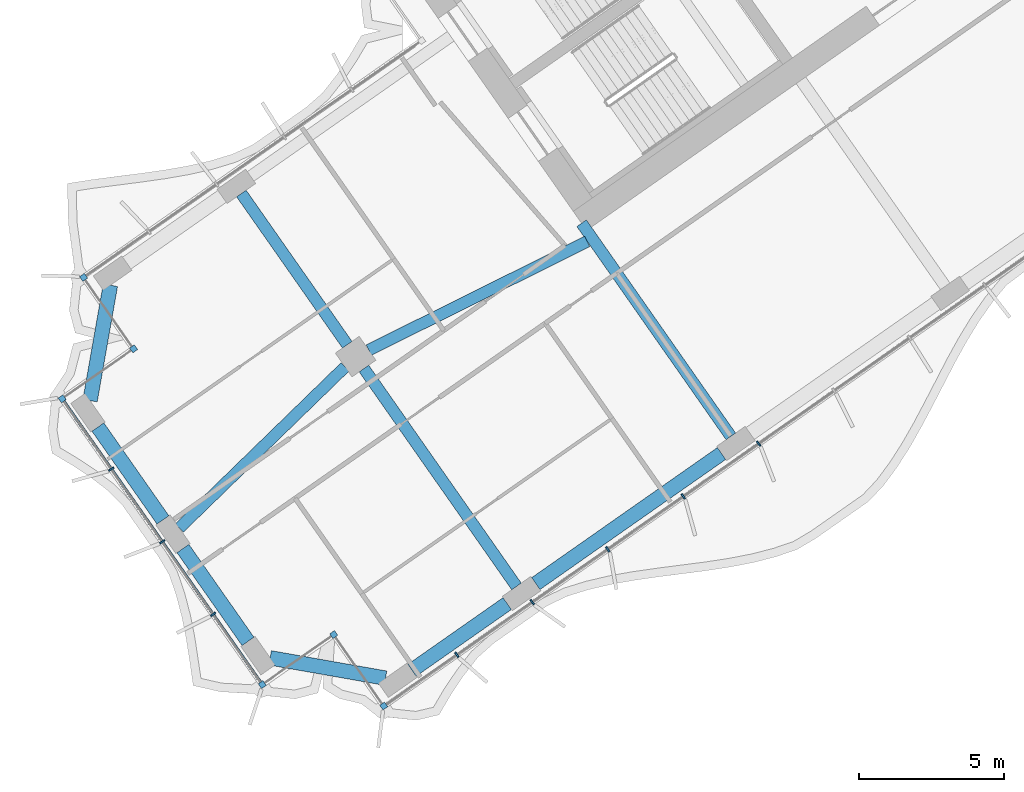
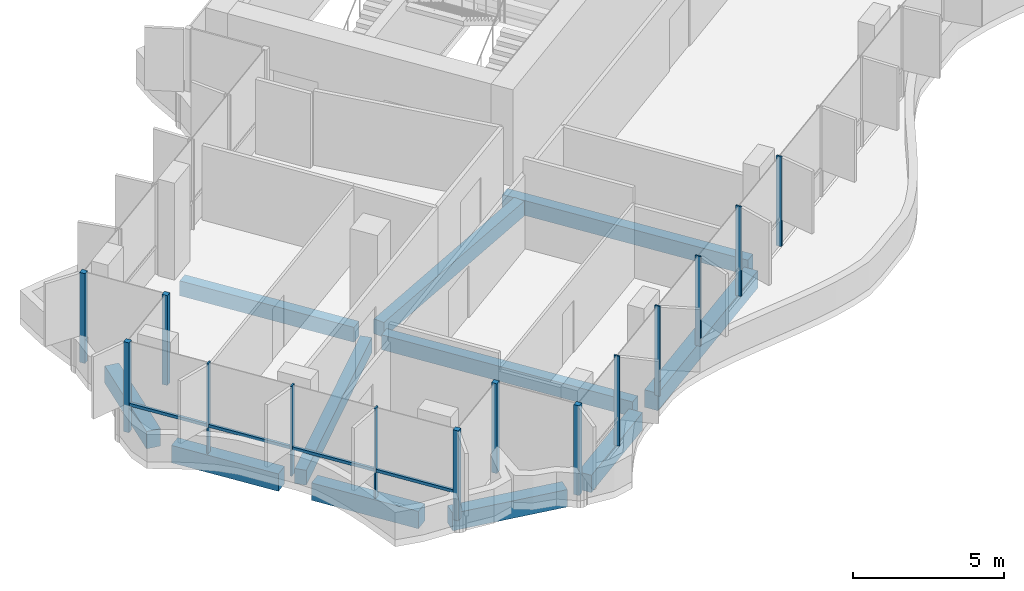
# One storey, part 2 of 22: 15 members, 11 beams, 1 element without a shape of its own.
"""IFC4 building model written with IfcOpenShell, lengths in metres."""

from ifc_helpers import new_model, si_unit, direction, frame, origin, origin_2d, place, context, subcontext, project, spatial, rectangle, extrude, material, material_profile, profile_set, type_object, element, aggregate, save


model = new_model("IFC4")

# Units and contexts
model_context = context("Model", 3, precision=1e-05, world=origin(), true_north=direction((0.0, 1.0)))
body_context = subcontext(model_context, "Body", "Model", "MODEL_VIEW")
ifc_project = project(units=[si_unit("LENGTHUNIT", "METRE"), si_unit("AREAUNIT", "SQUARE_METRE"), si_unit("VOLUMEUNIT", "CUBIC_METRE"), si_unit("PLANEANGLEUNIT", "RADIAN"), si_unit("MASSUNIT", "GRAM", prefix="KILO")], contexts=[model_context])

# Site, building, storey
site_placement = place(None, origin())
site = spatial("IfcSite", under=ifc_project, at=site_placement, CompositionType="ELEMENT")
building_placement = place(site_placement, origin())
building = spatial("IfcBuilding", under=site, at=building_placement, Name="Tel Ilan Convention Tower", CompositionType="ELEMENT")
storey_placement = place(building_placement, frame((0.0, 0.0, 135.89990234375)))
storey = spatial("IfcBuildingStorey", under=building, at=storey_placement, Name="L30", CompositionType="ELEMENT", Elevation=135.89990234375)

# Beams
ifc_material_1 = material(Name="Concrete C40/50", Category="concrete")
ifc_material_profile_1 = material_profile(ifc_material_1, rectangle(XDim=0.39990234375, YDim=0.60009765625, at=origin_2d()), Name="RC 400x600")
ifc_profile_set_1 = profile_set([ifc_material_profile_1], Name="Concrete C40/50")
beam_type_1 = type_object("IfcBeamType", Name="Beam RC 400x600 Concrete C40/50", PredefinedType="BEAM", material=ifc_profile_set_1)
beam_1_placement = place(storey_placement, frame((-16.58203125, -23.391357421875, -0.579833984375), z_axis=(-0.573584999642, 0.819146048141, 0.0), x_axis=(-0.819146048141, -0.573584999642, 0.0)))
element("IfcBeam", 1, at=beam_1_placement, inside=storey, type_object=beam_type_1, Name="L30 beam W-W-F3-core", PredefinedType="BEAM", context=body_context, shape_type="SweptSolid", body=[
    extrude(rectangle(XDim=0.39990234375, YDim=0.60009765625, at=origin_2d()), origin(), (0.0, 0.0, 1.0), 8.949951171875),
])
beam_2_placement = place(storey_placement, frame((-21.52099609375, -16.686279296875, -0.579833984375), z_axis=(-0.895402365524, -0.445257907076, 0.0), x_axis=(0.445257907076, -0.895402365524, 0.0)))
element("IfcBeam", 2, at=beam_2_placement, inside=storey, type_object=beam_type_1, Name="L30 beam W-core-W-M4", PredefinedType="BEAM", context=body_context, shape_type="SweptSolid", body=[
    extrude(rectangle(XDim=0.39990234375, YDim=0.60009765625, at=origin_2d()), origin(), (0.0, 0.0, 1.0), 8.3935546875),
])
beam_3_placement = place(storey_placement, frame((-29.8525390625, -21.001708984375, -0.579833984375), z_axis=(-0.716983836762, -0.697089791793, 0.0), x_axis=(0.697089791793, -0.716983836762, 0.0)))
element("IfcBeam", 3, at=beam_3_placement, inside=storey, type_object=beam_type_1, Name="L30 beam W-W-M4-end", PredefinedType="BEAM", context=body_context, shape_type="SweptSolid", body=[
    extrude(rectangle(XDim=0.39990234375, YDim=0.60009765625, at=origin_2d()), origin(), (0.0, 0.0, 1.0), 7.952392578125),
])
beam_4_placement = place(storey_placement, frame((-29.20263671875, -21.058349609375, -0.579833984375), z_axis=(0.573557249804, -0.819165478519, 0.0), x_axis=(0.819165478519, 0.573557249804, 0.0)))
element("IfcBeam", 4, at=beam_4_placement, inside=storey, type_object=beam_type_1, Name="L30 beam W-W-M4-W-F4", PredefinedType="BEAM", context=body_context, shape_type="SweptSolid", body=[
    extrude(rectangle(XDim=0.39990234375, YDim=0.60009765625, at=origin_2d()), origin(), (0.0, 0.0, 1.0), 9.14990234375),
])
beam_5_placement = place(storey_placement, frame((-29.7763671875, -20.2392578125, -0.579833984375), z_axis=(-0.573560394383, 0.819163276762, 0.0), x_axis=(-0.819163276762, -0.573560394383, 0.0)))
element("IfcBeam", 5, at=beam_5_placement, inside=storey, type_object=beam_type_1, Name="L30 beam W-W-M4-W-B4", PredefinedType="BEAM", context=body_context, shape_type="SweptSolid", body=[
    extrude(rectangle(XDim=0.39990234375, YDim=0.60009765625, at=origin_2d()), origin(), (0.0, 0.0, 1.0), 6.349853515625),
])
ifc_material_2 = material(Name="Concrete C40/50", Category="concrete")
ifc_material_profile_2 = material_profile(ifc_material_2, rectangle(XDim=0.5, YDim=0.699951171875, at=origin_2d()), Name="RC 500x700")
ifc_profile_set_2 = profile_set([ifc_material_profile_2], Name="Concrete C40/50")
beam_type_2 = type_object("IfcBeamType", Name="Beam RC 500x700 Concrete C40/50", PredefinedType="BEAM", material=ifc_profile_set_2)
beam_6_placement = place(storey_placement, frame((-16.901611328125, -23.981201171875, -0.6298828125), z_axis=(-0.819153977895, -0.573573674866, 0.0), x_axis=(0.573573674866, -0.819153977895, 0.0)))
element("IfcBeam", 6, at=beam_6_placement, inside=storey, type_object=beam_type_2, Name="L30 beam W-W-F3-W-F4", PredefinedType="BEAM", context=body_context, shape_type="SweptSolid", body=[
    extrude(rectangle(XDim=0.5, YDim=0.699951171875, at=origin_2d()), origin(), (0.0, 0.0, 1.0), 7.800048828125),
])
beam_7_placement = place(storey_placement, frame((-24.27392578125, -29.1435546875, -0.6298828125), z_axis=(-0.819165963305, -0.573556557423, 0.0), x_axis=(0.573556557423, -0.819165963305, 0.0)))
element("IfcBeam", 7, at=beam_7_placement, inside=storey, type_object=beam_type_2, Name="L30 beam W-W-F4-W-FC", PredefinedType="BEAM", context=body_context, shape_type="SweptSolid", body=[
    extrude(rectangle(XDim=0.5, YDim=0.699951171875, at=origin_2d()), origin(), (0.0, 0.0, 1.0), 4.0),
])
beam_8_placement = place(storey_placement, frame((-28.459716796875, -31.708251953125, -0.6298828125), z_axis=(-0.984806721117, 0.173654029734, 0.0), x_axis=(-0.173654029734, -0.984806721117, 0.0)))
element("IfcBeam", 8, at=beam_8_placement, inside=storey, type_object=beam_type_2, Name="L30 beam W-W-FC-W-E1", PredefinedType="BEAM", context=body_context, shape_type="SweptSolid", body=[
    extrude(rectangle(XDim=0.5, YDim=0.699951171875, at=origin_2d()), origin(), (0.0, 0.0, 1.0), 4.03076171875),
])
for number, where, z_axis, x_axis, name in (
    (9, (-33.19091796875, -30.443115234375, -0.6298828125), (-0.573609383536, 0.819128973434, 0.0), (-0.819128973434, -0.573609383536, 0.0), "L30 beam W-W-E1-W-E2"),
    (10, (-36.1162109375, -26.265380859375, -0.6298828125), (-0.573609383536, 0.819128973434, 0.0), (-0.819128973434, -0.573609383536, 0.0), "L30 beam W-W-E2-W-E3"),
):
    element("IfcBeam", number, at=place(storey_placement, frame(where, z_axis=z_axis, x_axis=x_axis)), inside=storey, type_object=beam_type_2, Name=name, PredefinedType="BEAM", context=body_context, shape_type="SweptSolid", body=[
        extrude(rectangle(XDim=0.5, YDim=0.699951171875, at=origin_2d()), origin(), (0.0, 0.0, 1.0), 3.89990234375),
    ])
beam_9_placement = place(storey_placement, frame((-38.623779296875, -22.16162109375, -0.6298828125), z_axis=(0.173654029734, 0.984806721117, 0.0), x_axis=(-0.984806721117, 0.173654029734, 0.0)))
element("IfcBeam", 11, at=beam_9_placement, inside=storey, type_object=beam_type_2, Name="L30 beam W-W-E3-W-BC", PredefinedType="BEAM", context=body_context, shape_type="SweptSolid", body=[
    extrude(rectangle(XDim=0.5, YDim=0.699951171875, at=origin_2d()), origin(), (0.0, 0.0, 1.0), 4.03076171875),
])

# Curtain wall, members
ifc_material_3 = material(Name="Aluminium, bronze anodised", Category="aluminium")
curtain_wall_type = type_object("IfcCurtainWallType", Name="CW4 STICK CURTAIN WALL, OFFICE TINTED GLASS", PredefinedType="NOTDEFINED", material=ifc_material_3)
curtain_wall_placement = place(storey_placement, origin())
curtain_wall = element("IfcCurtainWall", 12, at=curtain_wall_placement, inside=storey, type_object=curtain_wall_type, Name="Curtain wall CW4-24.02", PredefinedType="NOTDEFINED")
ifc_material_4 = material(Name="Aluminium, bronze anodised", Category="aluminium")
ifc_material_profile_3 = material_profile(ifc_material_4, rectangle(XDim=0.199951171875, YDim=0.199951171875, at=origin_2d()), Name="CW CORNER MULLION 200x200")
ifc_profile_set_3 = profile_set([ifc_material_profile_3], Name="Aluminium, bronze anodised")
member_type_1 = type_object("IfcMemberType", Name="CW CORNER MULLION 200x200", PredefinedType="MULLION", material=ifc_profile_set_3)
member_1_placement = place(storey_placement, frame((-38.845458984375, -17.922119140625, 0.0), z_axis=(0.0, 0.0, 1.0), x_axis=(-0.819152044289, -0.573576436351, 0.0)))
member_1 = element("IfcMember", 13, at=member_1_placement, type_object=member_type_1, Name="Corner mullion", PredefinedType="MULLION", context=body_context, shape_type="SweptSolid", body=[
    extrude(rectangle(XDim=0.199951171875, YDim=0.199951171875, at=origin_2d()), origin(), (0.0, 0.0, 1.0), 3.6201171875),
])
member_2_placement = place(storey_placement, frame((-37.124755859375, -20.37939453125, 0.0), z_axis=(0.0, 0.0, 1.0), x_axis=(0.573576436351, -0.819152044289, 0.0)))
member_2 = element("IfcMember", 14, at=member_2_placement, type_object=member_type_1, Name="Corner mullion", PredefinedType="MULLION", context=body_context, shape_type="SweptSolid", body=[
    extrude(rectangle(XDim=0.199951171875, YDim=0.199951171875, at=origin_2d()), origin(), (0.0, 0.0, 1.0), 3.6201171875),
])
member_3_placement = place(storey_placement, frame((-39.582275390625, -22.10009765625, 0.0), z_axis=(0.0, 0.0, 1.0), x_axis=(-0.819152044289, -0.573576436351, 0.0)))
member_3 = element("IfcMember", 15, at=member_3_placement, type_object=member_type_1, Name="Corner mullion", PredefinedType="MULLION", context=body_context, shape_type="SweptSolid", body=[
    extrude(rectangle(XDim=0.199951171875, YDim=0.199951171875, at=origin_2d()), origin(), (0.0, 0.0, 1.0), 3.6201171875),
])
member_4_placement = place(storey_placement, frame((-32.69921875, -31.929931640625, 0.0), z_axis=(0.0, 0.0, 1.0), x_axis=(0.573576436351, -0.819152044289, 0.0)))
member_4 = element("IfcMember", 16, at=member_4_placement, type_object=member_type_1, Name="Corner mullion", PredefinedType="MULLION", context=body_context, shape_type="SweptSolid", body=[
    extrude(rectangle(XDim=0.199951171875, YDim=0.199951171875, at=origin_2d()), origin(), (0.0, 0.0, 1.0), 3.6201171875),
])
member_5_placement = place(storey_placement, frame((-30.241943359375, -30.209228515625, 0.0), z_axis=(0.0, 0.0, 1.0), x_axis=(0.819152044289, 0.573576436351, 0.0)))
member_5 = element("IfcMember", 17, at=member_5_placement, type_object=member_type_1, Name="Corner mullion", PredefinedType="MULLION", context=body_context, shape_type="SweptSolid", body=[
    extrude(rectangle(XDim=0.199951171875, YDim=0.199951171875, at=origin_2d()), origin(), (0.0, 0.0, 1.0), 3.6201171875),
])
member_6_placement = place(storey_placement, frame((-28.52099609375, -32.666748046875, 0.0), z_axis=(0.0, 0.0, 1.0), x_axis=(0.573576436351, -0.819152044289, 0.0)))
member_6 = element("IfcMember", 18, at=member_6_placement, type_object=member_type_1, Name="Corner mullion", PredefinedType="MULLION", context=body_context, shape_type="SweptSolid", body=[
    extrude(rectangle(XDim=0.199951171875, YDim=0.199951171875, at=origin_2d()), origin(), (0.0, 0.0, 1.0), 3.6201171875),
])
ifc_material_5 = material(Name="Aluminium, bronze anodised", Category="aluminium")
ifc_material_profile_4 = material_profile(ifc_material_5, rectangle(XDim=0.06005859375, YDim=0.199951171875, at=origin_2d()), Name="CW MULLION 60x200")
ifc_profile_set_4 = profile_set([ifc_material_profile_4], Name="Aluminium, bronze anodised")
member_type_2 = type_object("IfcMemberType", Name="CW MULLION 60x200", PredefinedType="MULLION", material=ifc_profile_set_4)
member_7_placement = place(storey_placement, frame((-37.89013671875, -24.5166015625, 0.0), z_axis=(0.0, 0.0, 1.0), x_axis=(0.573576436351, -0.819152044289, 0.0)))
member_7 = element("IfcMember", 19, at=member_7_placement, type_object=member_type_2, Name="Mullion", PredefinedType="MULLION", context=body_context, shape_type="SweptSolid", body=[
    extrude(rectangle(XDim=0.06005859375, YDim=0.199951171875, at=origin_2d()), origin(), (0.0, 0.0, 1.0), 3.6201171875),
])
member_8_placement = place(storey_placement, frame((-36.140869140625, -27.01513671875, 0.0), z_axis=(0.0, 0.0, 1.0), x_axis=(0.573576436351, -0.819152044289, 0.0)))
member_8 = element("IfcMember", 20, at=member_8_placement, type_object=member_type_2, Name="Mullion", PredefinedType="MULLION", context=body_context, shape_type="SweptSolid", body=[
    extrude(rectangle(XDim=0.06005859375, YDim=0.199951171875, at=origin_2d()), origin(), (0.0, 0.0, 1.0), 3.6201171875),
])
member_9_placement = place(storey_placement, frame((-34.391357421875, -29.513427734375, 0.0), z_axis=(0.0, 0.0, 1.0), x_axis=(0.573576436351, -0.819152044289, 0.0)))
member_9 = element("IfcMember", 21, at=member_9_placement, type_object=member_type_2, Name="Mullion", PredefinedType="MULLION", context=body_context, shape_type="SweptSolid", body=[
    extrude(rectangle(XDim=0.06005859375, YDim=0.199951171875, at=origin_2d()), origin(), (0.0, 0.0, 1.0), 3.6201171875),
])
member_10_placement = place(storey_placement, frame((-26.008056640625, -30.906982421875, 0.0), z_axis=(0.0, 0.0, 1.0), x_axis=(0.819152044289, 0.573576436351, 0.0)))
member_10 = element("IfcMember", 22, at=member_10_placement, type_object=member_type_2, Name="Mullion", PredefinedType="MULLION", context=body_context, shape_type="SweptSolid", body=[
    extrude(rectangle(XDim=0.06005859375, YDim=0.199951171875, at=origin_2d()), origin(), (0.0, 0.0, 1.0), 3.6201171875),
])
member_11_placement = place(storey_placement, frame((-23.412841796875, -29.08984375, 0.0), z_axis=(0.0, 0.0, 1.0), x_axis=(0.819152044289, 0.573576436351, 0.0)))
member_11 = element("IfcMember", 23, at=member_11_placement, type_object=member_type_2, Name="Mullion", PredefinedType="MULLION", context=body_context, shape_type="SweptSolid", body=[
    extrude(rectangle(XDim=0.06005859375, YDim=0.199951171875, at=origin_2d()), origin(), (0.0, 0.0, 1.0), 3.6201171875),
])
member_12_placement = place(storey_placement, frame((-20.81787109375, -27.27294921875, 0.0), z_axis=(0.0, 0.0, 1.0), x_axis=(0.819152044289, 0.573576436351, 0.0)))
member_12 = element("IfcMember", 24, at=member_12_placement, type_object=member_type_2, Name="Mullion", PredefinedType="MULLION", context=body_context, shape_type="SweptSolid", body=[
    extrude(rectangle(XDim=0.06005859375, YDim=0.199951171875, at=origin_2d()), origin(), (0.0, 0.0, 1.0), 3.6201171875),
])
member_13_placement = place(storey_placement, frame((-18.222900390625, -25.455810546875, 0.0), z_axis=(0.0, 0.0, 1.0), x_axis=(0.819152044289, 0.573576436351, 0.0)))
member_13 = element("IfcMember", 25, at=member_13_placement, type_object=member_type_2, Name="Mullion", PredefinedType="MULLION", context=body_context, shape_type="SweptSolid", body=[
    extrude(rectangle(XDim=0.06005859375, YDim=0.199951171875, at=origin_2d()), origin(), (0.0, 0.0, 1.0), 3.6201171875),
])
member_14_placement = place(storey_placement, frame((-15.627685546875, -23.638671875, 0.0), z_axis=(0.0, 0.0, 1.0), x_axis=(0.819152044289, 0.573576436351, 0.0)))
member_14 = element("IfcMember", 26, at=member_14_placement, type_object=member_type_2, Name="Mullion", PredefinedType="MULLION", context=body_context, shape_type="SweptSolid", body=[
    extrude(rectangle(XDim=0.06005859375, YDim=0.199951171875, at=origin_2d()), origin(), (0.0, 0.0, 1.0), 3.6201171875),
])
ifc_material_6 = material(Name="Aluminium, bronze anodised", Category="aluminium")
ifc_material_profile_5 = material_profile(ifc_material_6, rectangle(XDim=0.10009765625, YDim=0.1201171875, at=origin_2d()), Name="CW TRANSOM 100x120")
ifc_profile_set_5 = profile_set([ifc_material_profile_5], Name="Aluminium, bronze anodised")
member_type_3 = type_object("IfcMemberType", Name="CW TRANSOM 100x120", PredefinedType="USERDEFINED", material=ifc_profile_set_5)
member_15_placement = place(storey_placement, frame((-39.52490234375, -22.18212890625, 1.10009765625), z_axis=(0.573581755582, -0.819148319698, 0.0), x_axis=(0.819148319698, 0.573581755582, 0.0)))
member_15 = element("IfcMember", 27, at=member_15_placement, type_object=member_type_3, Name="Transom", ObjectType="TRANSOM", PredefinedType="USERDEFINED", context=body_context, shape_type="SweptSolid", body=[
    extrude(rectangle(XDim=0.10009765625, YDim=0.1201171875, at=origin_2d()), origin(), (0.0, 0.0, 1.0), 11.800048828125),
])
aggregate(curtain_wall, [member_1, member_2, member_3, member_7, member_8, member_9, member_4, member_15, member_5, member_6, member_10, member_11, member_12, member_13, member_14])

save(model, "model.ifc")
